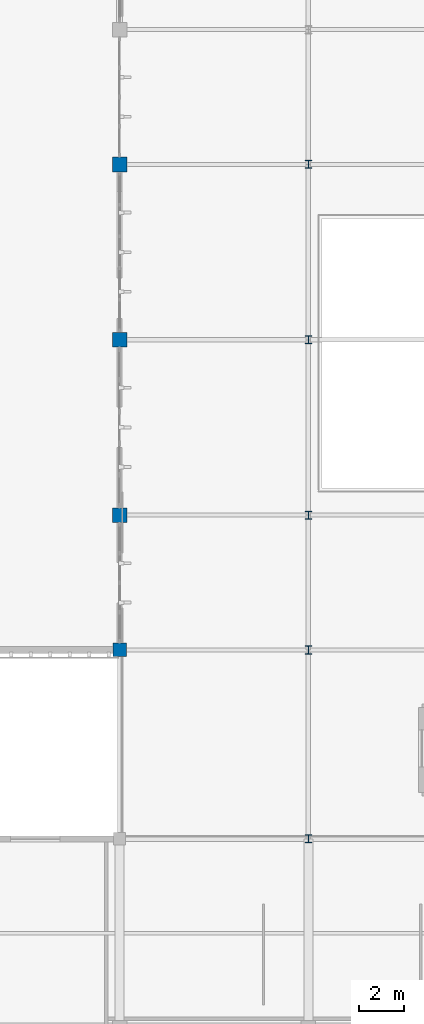
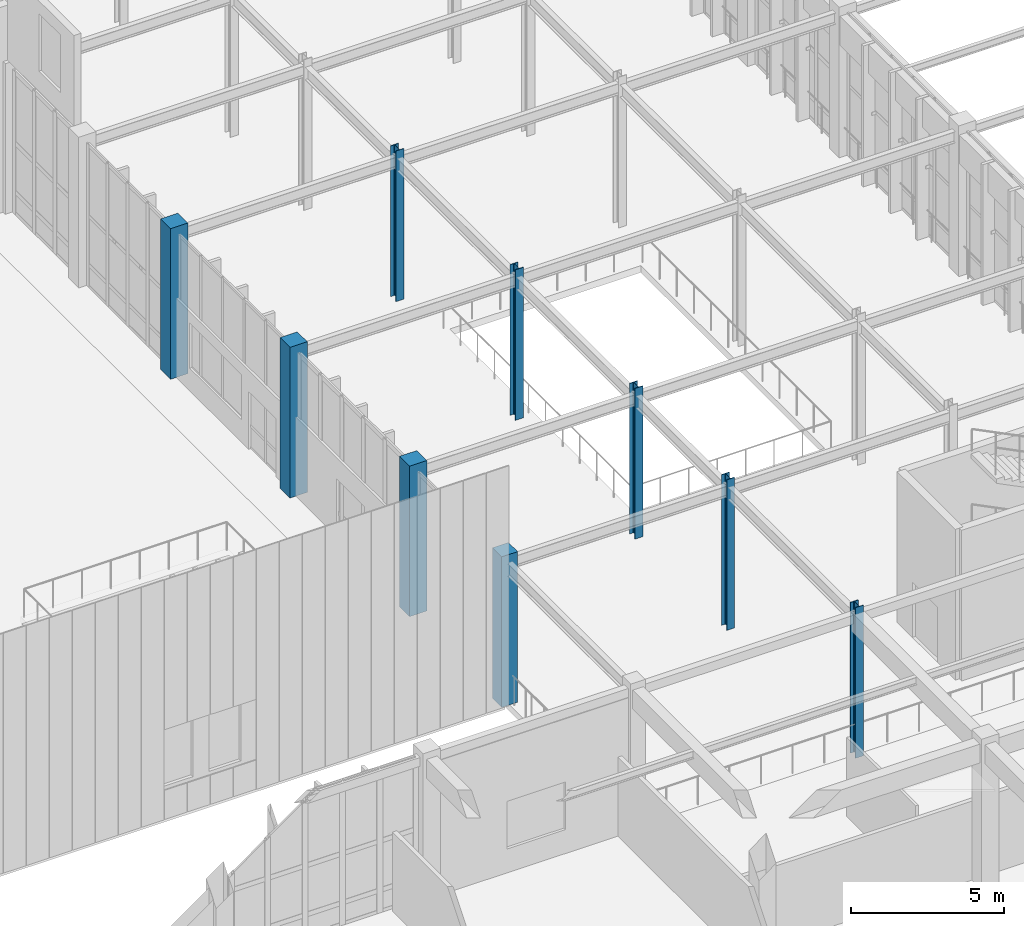
# One storey, part 2 of 105: 9 columns.
"""IFC4 building model written with IfcOpenShell, lengths in metres."""

from ifc_helpers import new_model, si_unit, direction, frame, origin, origin_2d, place, context, subcontext, project, spatial, rectangle, i_section, extrude, material, material_profile, profile_set, type_object, element, save


model = new_model("IFC4")

# Units and contexts
model_context = context("Model", 3, precision=1e-05, world=origin(), true_north=direction((0.0, 1.0)))
body_context = subcontext(model_context, "Body", "Model", "MODEL_VIEW")
ifc_project = project(units=[si_unit("LENGTHUNIT", "METRE"), si_unit("AREAUNIT", "SQUARE_METRE"), si_unit("VOLUMEUNIT", "CUBIC_METRE"), si_unit("PLANEANGLEUNIT", "RADIAN"), si_unit("MASSUNIT", "GRAM", prefix="KILO")], contexts=[model_context])

# Site, building, storey
site_placement = place(None, origin())
site = spatial("IfcSite", under=ifc_project, at=site_placement, CompositionType="ELEMENT")
building_placement = place(site_placement, origin())
building = spatial("IfcBuilding", under=site, at=building_placement, Name="Tizgana Railside Sports Hall", CompositionType="ELEMENT")
storey_placement = place(building_placement, frame((0.0, 0.0, 6.0)))
storey = spatial("IfcBuildingStorey", under=building, at=storey_placement, Name="L01", CompositionType="ELEMENT", Elevation=6.0)

# Columns
ifc_material_1 = material(Name="Concrete C40/50", Category="concrete")
ifc_material_profile_1 = material_profile(ifc_material_1, rectangle(XDim=0.60009765625, YDim=0.60009765625, at=origin_2d()), Name="RC 600x600")
ifc_profile_set_1 = profile_set([ifc_material_profile_1], Name="Concrete C40/50")
column_type_1 = type_object("IfcColumnType", Name="Concrete Column RC 600x600", PredefinedType="COLUMN", material=ifc_profile_set_1)
column_placement = place(storey_placement, frame((54.60009765625, 40.800048828125, 0.0), z_axis=(0.0, 0.0, 1.0), x_axis=(1.0, 0.0, 0.0)))
element("IfcColumn", 1, at=column_placement, inside=storey, type_object=column_type_1, Name="L01 COL-0151", PredefinedType="COLUMN", context=body_context, shape_type="SweptSolid", body=[
    extrude(rectangle(XDim=0.60009765625, YDim=0.60009765625, at=origin_2d()), origin(), (0.0, 0.0, 1.0), 6.0),
])
ifc_material_profile_2 = material_profile(ifc_material_1, rectangle(XDim=0.64990234375, YDim=0.64990234375, at=origin_2d()), Name="RC 650x650")
ifc_profile_set_2 = profile_set([ifc_material_profile_2], Name="Concrete C40/50")
column_type_2 = type_object("IfcColumnType", Name="Concrete Column RC 650x650", PredefinedType="COLUMN", material=ifc_profile_set_2)
for number, where, z_axis, x_axis, name in (
    (2, (54.60009765625, 46.800048828125, 0.0), (0.0, 0.0, 1.0), (1.0, 0.0, 0.0), "L01 COL-0154"),
    (3, (54.60009765625, 54.60009765625, 0.0), (0.0, 0.0, 1.0), (1.0, 0.0, 0.0), "L01 COL-0157"),
    (4, (54.60009765625, 62.39990234375, 0.0), (0.0, 0.0, 1.0), (1.0, 0.0, 0.0), "L01 COL-0160"),
):
    element("IfcColumn", number, at=place(storey_placement, frame(where, z_axis=z_axis, x_axis=x_axis)), inside=storey, type_object=column_type_2, Name=name, PredefinedType="COLUMN", context=body_context, shape_type="SweptSolid", body=[
        extrude(rectangle(XDim=0.64990234375, YDim=0.64990234375, at=origin_2d()), origin(), (0.0, 0.0, 1.0), 6.0),
    ])
ifc_material_2 = material(Name="Steel S355J2", Category="steel")
ifc_material_profile_3 = material_profile(ifc_material_2, i_section(OverallWidth=0.300048828125, OverallDepth=0.360107421875, WebThickness=0.012451171875, FlangeThickness=0.0224609375, FilletRadius=0.027099609375, at=origin_2d()), Name="HEB 360")
ifc_profile_set_3 = profile_set([ifc_material_profile_3], Name="Steel S355J2")
column_type_3 = type_object("IfcColumnType", Name="Steel Column HEB 360", PredefinedType="COLUMN", material=ifc_profile_set_3)
for number, where, z_axis, x_axis, name in (
    (5, (63.0, 32.39990234375, 0.0), (0.0, 0.0, 1.0), (1.0, 0.0, 0.0), "L01 COL-0192"),
    (6, (63.0, 40.800048828125, 0.0), (0.0, 0.0, 1.0), (1.0, 0.0, 0.0), "L01 COL-0195"),
    (7, (63.0, 46.800048828125, 0.0), (0.0, 0.0, 1.0), (1.0, 0.0, 0.0), "L01 COL-0198"),
    (8, (63.0, 54.60009765625, 0.0), (0.0, 0.0, 1.0), (1.0, 0.0, 0.0), "L01 COL-0201"),
    (9, (63.0, 62.39990234375, 0.0), (0.0, 0.0, 1.0), (1.0, 0.0, 0.0), "L01 COL-0204"),
):
    element("IfcColumn", number, at=place(storey_placement, frame(where, z_axis=z_axis, x_axis=x_axis)), inside=storey, type_object=column_type_3, Name=name, PredefinedType="COLUMN", context=body_context, shape_type="SweptSolid", body=[
        extrude(i_section(OverallWidth=0.300048828125, OverallDepth=0.360107421875, WebThickness=0.012451171875, FlangeThickness=0.0224609375, FilletRadius=0.027099609375, at=origin_2d()), origin(), (0.0, 0.0, 1.0), 6.0),
    ])

save(model, "model.ifc")
